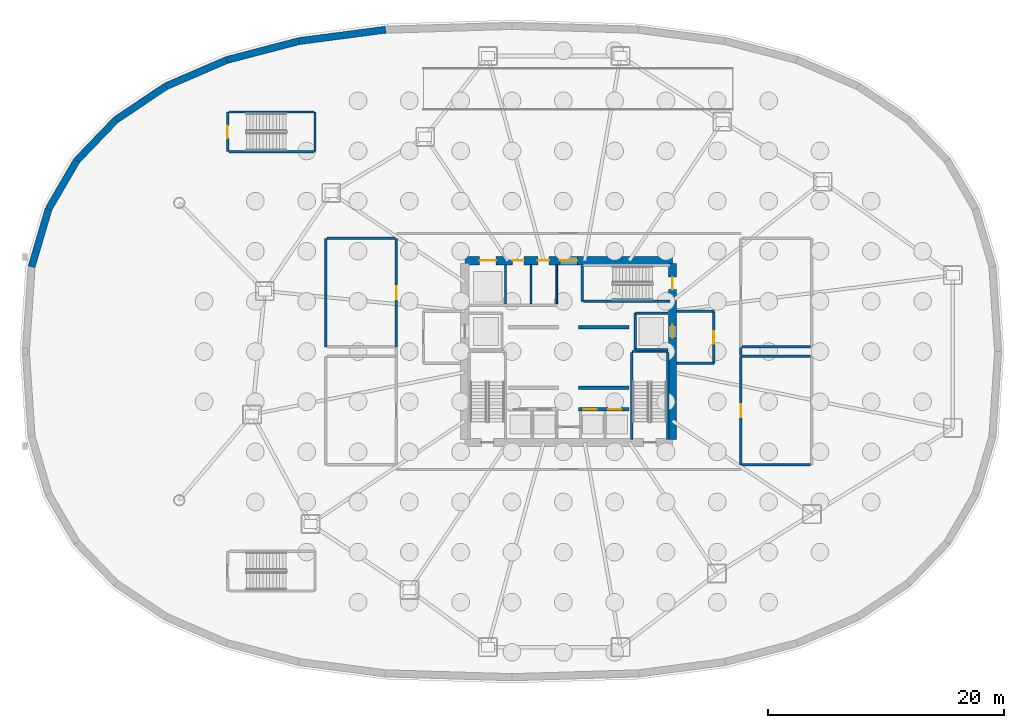
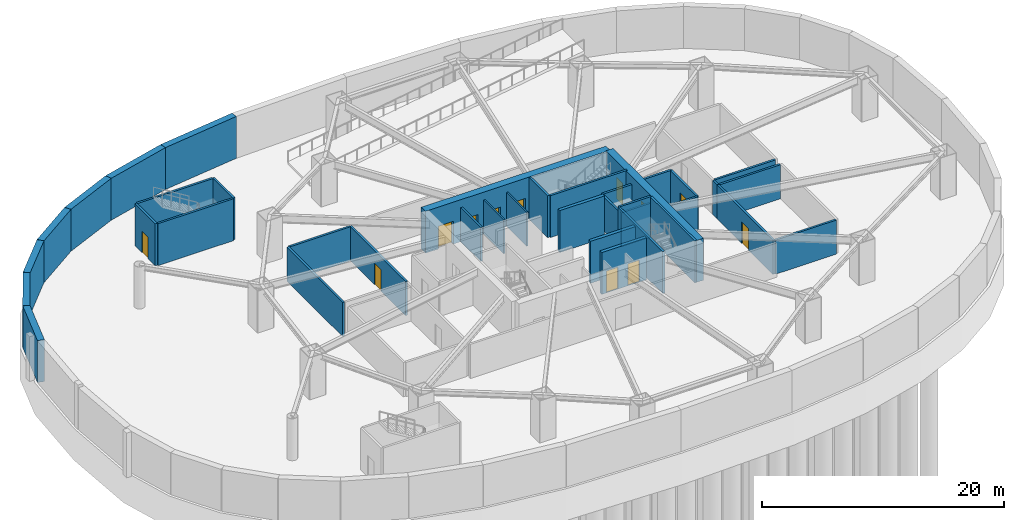
# One storey, part 4 of 10: 38 walls, 12 doors, 12 openings.
"""IFC4 building model written with IfcOpenShell, lengths in metres."""

from ifc_helpers import new_model, si_unit, direction, frame, frame_2d, origin, place, context, subcontext, project, spatial, rectangle, extrude, source, transform, mapped, material, layer, layer_set, type_object, element, fill, save


model = new_model("IFC4")

# Units and contexts
model_context = context("Model", 3, precision=1e-05, world=origin(), true_north=direction((0.0, 1.0)))
body_context = subcontext(model_context, "Body", "Model", "MODEL_VIEW")
ifc_project = project(units=[si_unit("LENGTHUNIT", "METRE"), si_unit("AREAUNIT", "SQUARE_METRE"), si_unit("VOLUMEUNIT", "CUBIC_METRE"), si_unit("PLANEANGLEUNIT", "RADIAN"), si_unit("MASSUNIT", "GRAM", prefix="KILO"), si_unit("THERMODYNAMICTEMPERATUREUNIT", "KELVIN")], contexts=[model_context])

# Site, building, storey
site_placement = place(None, origin())
site = spatial("IfcSite", under=ifc_project, at=site_placement, CompositionType="ELEMENT")
building_placement = place(site_placement, origin())
building = spatial("IfcBuilding", under=site, at=building_placement, Name="Kethvar Cultural Tower", CompositionType="ELEMENT")
storey_placement = place(building_placement, frame((0.0, 0.0, -9.0)))
storey = spatial("IfcBuildingStorey", under=building, at=storey_placement, Name="B02", CompositionType="ELEMENT", Elevation=-9.0)

# Walls
ifc_material_1 = material(Name="Concrete C45/55", Category="concrete")
ifc_layer_1 = layer(ifc_material_1, 0.60009765625, Name="Concrete C45/55", Category="concrete")
ifc_layer_set_1 = layer_set([ifc_layer_1], Name="Concrete C45/55 (600 mm)")
wall_type_1 = type_object("IfcWallType", Name="WL-BSMT-600", PredefinedType="SHEAR", material=ifc_layer_set_1)
wall_1_placement = place(storey_placement, frame((31.2841796875, 55.076904296875, 0.0), z_axis=(0.0, 0.0, 1.0), x_axis=(-0.991431364125, -0.130628673076, 0.0)))
element("IfcWall", 1, at=wall_1_placement, inside=storey, type_object=wall_type_1, Name="B02 Perimeter Retaining Wall 11", PredefinedType="SHEAR", context=body_context, shape_type="SweptSolid", body=[
    extrude(rectangle(XDim=7.3974609375, YDim=0.60009765625, at=frame_2d((3.69873046875, 0.0))), origin(), (0.0, 0.0, 1.0), 4.219970703125),
])
wall_2_placement = place(storey_placement, frame((23.9501953125, 54.110595703125, 0.0), z_axis=(0.0, 0.0, 1.0), x_axis=(-0.967458151093, -0.253031076914, 0.0)))
element("IfcWall", 2, at=wall_2_placement, inside=storey, type_object=wall_type_1, Name="B02 Perimeter Retaining Wall 12", PredefinedType="SHEAR", context=body_context, shape_type="SweptSolid", body=[
    extrude(rectangle(XDim=6.32958984375, YDim=0.60009765625, at=frame_2d((3.164794921875, 0.0))), origin(), (0.0, 0.0, 1.0), 4.219970703125),
])
wall_3_placement = place(storey_placement, frame((17.82666015625, 52.509033203125, 0.0), z_axis=(0.0, 0.0, 1.0), x_axis=(-0.918068469745, -0.396421852147, 0.0)))
element("IfcWall", 3, at=wall_3_placement, inside=storey, type_object=wall_type_1, Name="B02 Perimeter Retaining Wall 13", PredefinedType="SHEAR", context=body_context, shape_type="SweptSolid", body=[
    extrude(rectangle(XDim=5.613037109375, YDim=0.60009765625, at=frame_2d((2.806640625, 0.0))), origin(), (0.0, 0.0, 1.0), 4.219970703125),
])
wall_4_placement = place(storey_placement, frame((12.673583984375, 50.283935546875, 0.0), z_axis=(0.0, 0.0, 1.0), x_axis=(-0.830803406524, -0.556565988638, 0.0)))
element("IfcWall", 4, at=wall_4_placement, inside=storey, type_object=wall_type_1, Name="B02 Perimeter Retaining Wall 14", PredefinedType="SHEAR", context=body_context, shape_type="SweptSolid", body=[
    extrude(rectangle(XDim=5.099365234375, YDim=0.60009765625, at=frame_2d((2.5498046875, 0.0))), origin(), (0.0, 0.0, 1.0), 4.219970703125),
])
wall_5_placement = place(storey_placement, frame((8.43701171875, 47.44580078125, 0.0), z_axis=(0.0, 0.0, 1.0), x_axis=(-0.693368389068, -0.720583289455, 0.0)))
element("IfcWall", 5, at=wall_5_placement, inside=storey, type_object=wall_type_1, Name="B02 Perimeter Retaining Wall 15", PredefinedType="SHEAR", context=body_context, shape_type="SweptSolid", body=[
    extrude(rectangle(XDim=4.79052734375, YDim=0.60009765625, at=frame_2d((2.395263671875, 0.0))), origin(), (0.0, 0.0, 1.0), 4.219970703125),
])
wall_6_placement = place(storey_placement, frame((5.115478515625, 43.993896484375, 0.0), z_axis=(0.0, 0.0, 1.0), x_axis=(-0.503496923494, -0.863997018532, 0.0)))
element("IfcWall", 6, at=wall_6_placement, inside=storey, type_object=wall_type_1, Name="B02 Perimeter Retaining Wall 16", PredefinedType="SHEAR", context=body_context, shape_type="SweptSolid", body=[
    extrude(rectangle(XDim=4.748046875, YDim=0.60009765625, at=frame_2d((2.3740234375, 0.0))), origin(), (0.0, 0.0, 1.0), 4.219970703125),
])
wall_7_placement = place(storey_placement, frame((2.724853515625, 39.8916015625, 0.0), z_axis=(0.0, 0.0, 1.0), x_axis=(-0.281735210535, -0.959492194416, 0.0)))
element("IfcWall", 7, at=wall_7_placement, inside=storey, type_object=wall_type_1, Name="B02 Perimeter Retaining Wall 17", PredefinedType="SHEAR", context=body_context, shape_type="SweptSolid", body=[
    extrude(rectangle(XDim=5.12060546875, YDim=0.60009765625, at=frame_2d((2.560302734375, 0.0))), origin(), (0.0, 0.0, 1.0), 4.219970703125),
])

# Wall, openings, doors
ifc_material_2 = material(Name="Concrete C60/75", Category="concrete")
ifc_layer_2 = layer(ifc_material_2, 0.699951171875, Name="Concrete C60/75", Category="concrete")
ifc_layer_set_2 = layer_set([ifc_layer_2], Name="Concrete C60/75 (700 mm)")
wall_type_2 = type_object("IfcWallType", Name="WL-CORE-700", PredefinedType="SHEAR", material=ifc_layer_set_2)
wall_8_placement = place(storey_placement, frame((55.60009765625, 35.5, 0.0), z_axis=(0.0, 0.0, 1.0), x_axis=(-1.0, 0.0, 0.0)))
wall_8 = element("IfcWall", 8, at=wall_8_placement, inside=storey, type_object=wall_type_2, Name="B02 Core Shear Wall N", PredefinedType="SHEAR", context=body_context, shape_type="SweptSolid", body=[
    extrude(rectangle(XDim=17.60009765625, YDim=0.699951171875, at=frame_2d((8.800048828125, 0.0))), origin(), (0.0, 0.0, 1.0), 4.219970703125),
])
opening_1_placement = place(wall_8_placement, frame((8.050048828125, 0.0, 0.0)))
opening_1 = element("IfcOpeningElement", 9, at=opening_1_placement, cuts=wall_8, Name="Opening D-B02-LN", PredefinedType="OPENING", context=body_context, shape_type="SweptSolid", body=[
    extrude(rectangle(XDim=1.5, YDim=2.199951171875, at=frame_2d((0.75, 1.10009765625))), frame((0.0, 0.35986328125, 0.0), z_axis=(0.0, -1.0, 0.0), x_axis=(1.0, 0.0, 0.0)), (0.0, 0.0, 1.0), 0.719970703125),
])
opening_2_placement = place(wall_8_placement, frame((14.949951171875, 0.0, 0.0)))
opening_2 = element("IfcOpeningElement", 10, at=opening_2_placement, cuts=wall_8, Name="Opening LD-G1", PredefinedType="OPENING", context=body_context, shape_type="SweptSolid", body=[
    extrude(rectangle(XDim=1.39990234375, YDim=2.300048828125, at=frame_2d((0.699951171875, 1.14990234375))), frame((0.0, 0.35986328125, 0.0), z_axis=(0.0, -1.0, 0.0), x_axis=(1.0, 0.0, 0.0)), (0.0, 0.0, 1.0), 0.719970703125),
])
opening_3_placement = place(wall_8_placement, frame((12.60009765625, 0.0, 0.0)))
opening_3 = element("IfcOpeningElement", 11, at=opening_3_placement, cuts=wall_8, Name="Opening D-B02-W1", PredefinedType="OPENING", context=body_context, shape_type="SweptSolid", body=[
    extrude(rectangle(XDim=0.949951171875, YDim=2.14990234375, at=frame_2d((0.47509765625, 1.074951171875))), frame((0.0, 0.35986328125, 0.0), z_axis=(0.0, -1.0, 0.0), x_axis=(1.0, 0.0, 0.0)), (0.0, 0.0, 1.0), 0.719970703125),
])
opening_4_placement = place(wall_8_placement, frame((10.449951171875, 0.0, 0.0)))
opening_4 = element("IfcOpeningElement", 12, at=opening_4_placement, cuts=wall_8, Name="Opening D-B02-W2", PredefinedType="OPENING", context=body_context, shape_type="SweptSolid", body=[
    extrude(rectangle(XDim=0.949951171875, YDim=2.14990234375, at=frame_2d((0.47509765625, 1.074951171875))), frame((0.0, 0.35986328125, 0.0), z_axis=(0.0, -1.0, 0.0), x_axis=(1.0, 0.0, 0.0)), (0.0, 0.0, 1.0), 0.719970703125),
])
ifc_material_3 = material(Name="Architectural Oak Timber", Category="wood")
door_type_1 = type_object("IfcDoorType", Name="DR-DBL-FD60-1500", OperationType="DOUBLE_DOOR_SINGLE_SWING", PredefinedType="DOOR", material=ifc_material_3)
shared_shape_1 = source(origin(), body_context, "Body", "SweptSolid", [
    extrude(rectangle(XDim=1.5, YDim=2.199951171875, at=frame_2d((0.75, 1.10009765625))), frame((0.0, 0.02490234375, 0.0), z_axis=(0.0, -1.0, 0.0), x_axis=(1.0, 0.0, 0.0)), (0.0, 0.0, 1.0), 0.050048828125),
])
door_1_placement = place(opening_1_placement, origin())
door_1 = element("IfcDoor", 13, at=door_1_placement, inside=storey, type_object=door_type_1, Name="B02 Lift Lobby Concourse Door", OperationType="DOUBLE_DOOR_SINGLE_SWING", OverallHeight=2.199951171875, OverallWidth=1.5, PredefinedType="DOOR", context=body_context, shape_type="MappedRepresentation", body=[
    mapped(shared_shape_1, transform((0.0, 0.0, 0.0), scale=1.0)),
])
fill(opening_1, door_1)
ifc_material_4 = material(Name="Steel S355J2", Category="steel")
door_type_2 = type_object("IfcDoorType", Name="DR-LIFT-SLIDE-1400", OperationType="NOTDEFINED", PredefinedType="DOOR", material=ifc_material_4)
shared_shape_2 = source(origin(), body_context, "Body", "SweptSolid", [
    extrude(rectangle(XDim=1.39990234375, YDim=2.300048828125, at=frame_2d((0.699951171875, 1.14990234375))), frame((0.0, 0.02490234375, 0.0), z_axis=(0.0, -1.0, 0.0), x_axis=(1.0, 0.0, 0.0)), (0.0, 0.0, 1.0), 0.050048828125),
])
door_2_placement = place(opening_2_placement, origin())
door_2 = element("IfcDoor", 14, at=door_2_placement, inside=storey, type_object=door_type_2, Name="B02 Goods Lift Landing Door", OperationType="SLIDING_TO_RIGHT", OverallHeight=2.300048828125, OverallWidth=1.39990234375, PredefinedType="DOOR", context=body_context, shape_type="MappedRepresentation", body=[
    mapped(shared_shape_2, transform((0.0, 0.0, 0.0), scale=1.0)),
])
fill(opening_2, door_2)
door_type_3 = type_object("IfcDoorType", Name="DR-FD30-950", OperationType="NOTDEFINED", PredefinedType="DOOR", material=ifc_material_3)
shared_shape_3 = source(origin(), body_context, "Body", "SweptSolid", [
    extrude(rectangle(XDim=0.949951171875, YDim=2.14990234375, at=frame_2d((0.47509765625, 1.074951171875))), frame((0.0, 0.02490234375, 0.0), z_axis=(0.0, -1.0, 0.0), x_axis=(1.0, 0.0, 0.0)), (0.0, 0.0, 1.0), 0.050048828125),
])
door_3_placement = place(opening_3_placement, origin())
door_3 = element("IfcDoor", 15, at=door_3_placement, inside=storey, type_object=door_type_3, Name="B02 Accessible Washroom Door", OperationType="SINGLE_SWING_LEFT", OverallHeight=2.14990234375, OverallWidth=0.949951171875, PredefinedType="DOOR", context=body_context, shape_type="MappedRepresentation", body=[
    mapped(shared_shape_3, transform((0.0, 0.0, 0.0), scale=1.0)),
])
fill(opening_3, door_3)
door_4_placement = place(opening_4_placement, origin())
door_4 = element("IfcDoor", 16, at=door_4_placement, inside=storey, type_object=door_type_3, Name="B02 Public Washroom Door", OperationType="SINGLE_SWING_RIGHT", OverallHeight=2.14990234375, OverallWidth=0.949951171875, PredefinedType="DOOR", context=body_context, shape_type="MappedRepresentation", body=[
    mapped(shared_shape_3, transform((0.0, 0.0, 0.0), scale=1.0)),
])
fill(opening_4, door_4)

wall_9_placement = place(storey_placement, frame((55.60009765625, 20.340087890625, 0.0), z_axis=(0.0, 0.0, 1.0), x_axis=(0.0, 1.0, 0.0)))
wall_9 = element("IfcWall", 17, at=wall_9_placement, inside=storey, type_object=wall_type_2, Name="B02 Core Shear Wall E", PredefinedType="SHEAR", context=body_context, shape_type="SweptSolid", body=[
    extrude(rectangle(XDim=14.919921875, YDim=0.699951171875, at=frame_2d((7.4599609375, 0.0))), origin(), (0.0, 0.0, 1.0), 4.219970703125),
])
opening_5_placement = place(wall_9_placement, frame((12.7099609375, 0.0, 0.0)))
opening_5 = element("IfcOpeningElement", 18, at=opening_5_placement, cuts=wall_9, Name="Opening D-B02-S3", PredefinedType="OPENING", context=body_context, shape_type="SweptSolid", body=[
    extrude(rectangle(XDim=1.050048828125, YDim=2.14990234375, at=frame_2d((0.52490234375, 1.074951171875))), frame((0.0, 0.35986328125, 0.0), z_axis=(0.0, -1.0, 0.0), x_axis=(1.0, 0.0, 0.0)), (0.0, 0.0, 1.0), 0.719970703125),
])
opening_6_placement = place(wall_9_placement, frame((8.610107421875, 0.0, 0.0)))
opening_6 = element("IfcOpeningElement", 19, at=opening_6_placement, cuts=wall_9, Name="Opening LD-2", PredefinedType="OPENING", context=body_context, shape_type="SweptSolid", body=[
    extrude(rectangle(XDim=1.10009765625, YDim=2.199951171875, at=frame_2d((0.550048828125, 1.10009765625))), frame((0.0, 0.35986328125, 0.0), z_axis=(0.0, -1.0, 0.0), x_axis=(1.0, 0.0, 0.0)), (0.0, 0.0, 1.0), 0.719970703125),
])
door_type_4 = type_object("IfcDoorType", Name="DR-FD60-1050", OperationType="NOTDEFINED", PredefinedType="DOOR", material=ifc_material_4)
shared_shape_4 = source(origin(), body_context, "Body", "SweptSolid", [
    extrude(rectangle(XDim=1.050048828125, YDim=2.14990234375, at=frame_2d((0.52490234375, 1.074951171875))), frame((0.0, 0.02490234375, 0.0), z_axis=(0.0, -1.0, 0.0), x_axis=(1.0, 0.0, 0.0)), (0.0, 0.0, 1.0), 0.050048828125),
])
door_5_placement = place(opening_5_placement, origin())
door_5 = element("IfcDoor", 20, at=door_5_placement, inside=storey, type_object=door_type_4, Name="B02 Exit Stair 3 Door", OperationType="SINGLE_SWING_LEFT", OverallHeight=2.14990234375, OverallWidth=1.050048828125, PredefinedType="DOOR", context=body_context, shape_type="MappedRepresentation", body=[
    mapped(shared_shape_4, transform((0.0, 0.0, 0.0), scale=1.0)),
])
fill(opening_5, door_5)
door_type_5 = type_object("IfcDoorType", Name="DR-LIFT-SLIDE-1100", OperationType="NOTDEFINED", PredefinedType="DOOR", material=ifc_material_4)
shared_shape_5 = source(origin(), body_context, "Body", "SweptSolid", [
    extrude(rectangle(XDim=1.10009765625, YDim=2.199951171875, at=frame_2d((0.550048828125, 1.10009765625))), frame((0.0, 0.02490234375, 0.0), z_axis=(0.0, -1.0, 0.0), x_axis=(1.0, 0.0, 0.0)), (0.0, 0.0, 1.0), 0.050048828125),
])
door_6_placement = place(opening_6_placement, origin())
door_6 = element("IfcDoor", 21, at=door_6_placement, inside=storey, type_object=door_type_5, Name="B02 Firefighting Lift Landing Door FFL-02", OperationType="SLIDING_TO_RIGHT", OverallHeight=2.199951171875, OverallWidth=1.10009765625, PredefinedType="DOOR", context=body_context, shape_type="MappedRepresentation", body=[
    mapped(shared_shape_5, transform((0.0, 0.0, 0.0), scale=1.0)),
])
fill(opening_6, door_6)

# Walls
ifc_material_5 = material(Name="Gypsum Fireboard Partition")
ifc_layer_3 = layer(ifc_material_5, 0.14990234375, Name="Gypsum Fireboard Partition")
ifc_layer_set_3 = layer_set([ifc_layer_3], Name="Gypsum Fireboard Partition (150 mm)")
wall_type_3 = type_object("IfcWallType", Name="WL-FIRE-150", PredefinedType="PARTITIONING", material=ifc_layer_set_3)
wall_10_placement = place(storey_placement, frame((45.800048828125, 31.85009765625, 0.0), z_axis=(0.0, 0.0, 1.0), x_axis=(0.0, 1.0, 0.0)))
element("IfcWall", 22, at=wall_10_placement, inside=storey, type_object=wall_type_3, Name="B02 Sanitary Spine Wall", PredefinedType="PARTITIONING", context=body_context, shape_type="SweptSolid", body=[
    extrude(rectangle(XDim=3.289794921875, YDim=0.14990234375, at=frame_2d((1.64501953125, 0.0))), origin(), (0.0, 0.0, 1.0), 3.43310546875),
])
ifc_material_6 = material(Name="Concrete C40/50", Category="concrete")
ifc_layer_4 = layer(ifc_material_6, 0.199951171875, Name="Concrete C40/50", Category="concrete")
ifc_layer_set_4 = layer_set([ifc_layer_4], Name="Concrete C40/50 (200 mm)")
wall_type_4 = type_object("IfcWallType", Name="WL-FIRE-200", PredefinedType="PARTITIONING", material=ifc_layer_set_4)
wall_11_placement = place(storey_placement, frame((52.449951171875, 27.949951171875, 0.0), z_axis=(0.0, 0.0, 1.0), x_axis=(0.0, 1.0, 0.0)))
element("IfcWall", 23, at=wall_11_placement, inside=storey, type_object=wall_type_4, Name="B02 FFL-02 Shaft Inner Wall", PredefinedType="PARTITIONING", context=body_context, shape_type="SweptSolid", body=[
    extrude(rectangle(XDim=3.10009765625, YDim=0.199951171875, at=frame_2d((1.550048828125, 0.0))), origin(), (0.0, 0.0, 1.0), 3.43310546875),
])
for number, where, z_axis, x_axis, name in (
    (24, (52.449951171875, 27.949951171875, 0.0), (0.0, 0.0, 1.0), (1.0, 0.0, 0.0), "B02 FFL-02 Shaft South Wall"),
    (25, (52.449951171875, 31.050048828125, 0.0), (0.0, 0.0, 1.0), (1.0, 0.0, 0.0), "B02 FFL-02 Shaft North Wall"),
):
    element("IfcWall", number, at=place(storey_placement, frame(where, z_axis=z_axis, x_axis=x_axis)), inside=storey, type_object=wall_type_4, Name=name, PredefinedType="PARTITIONING", context=body_context, shape_type="SweptSolid", body=[
        extrude(rectangle(XDim=2.7900390625, YDim=0.199951171875, at=frame_2d((1.39501953125, 0.0))), origin(), (0.0, 0.0, 1.0), 3.43310546875),
    ])

# Wall, opening, door
wall_12_placement = place(storey_placement, frame((59.10009765625, 26.800048828125, 0.0), z_axis=(0.0, 0.0, 1.0), x_axis=(0.0, 1.0, 0.0)))
wall_12 = element("IfcWall", 26, at=wall_12_placement, inside=storey, type_object=wall_type_4, Name="B02 Firefighting Lobby 2 Wall", PredefinedType="PARTITIONING", context=body_context, shape_type="SweptSolid", body=[
    extrude(rectangle(XDim=4.39990234375, YDim=0.199951171875, at=frame_2d((2.199951171875, 0.0))), origin(), (0.0, 0.0, 1.0), 3.43310546875),
])
opening_7_placement = place(wall_12_placement, frame((1.64990234375, 0.0, 0.0)))
opening_7 = element("IfcOpeningElement", 27, at=opening_7_placement, cuts=wall_12, Name="Opening D-B02-F2", PredefinedType="OPENING", context=body_context, shape_type="SweptSolid", body=[
    extrude(rectangle(XDim=1.050048828125, YDim=2.14990234375, at=frame_2d((0.52490234375, 1.074951171875))), frame((0.0, 0.10986328125, 0.0), z_axis=(0.0, -1.0, 0.0), x_axis=(1.0, 0.0, 0.0)), (0.0, 0.0, 1.0), 0.219970703125),
])
door_7_placement = place(opening_7_placement, origin())
door_7 = element("IfcDoor", 28, at=door_7_placement, inside=storey, type_object=door_type_4, Name="B02 Firefighting Lobby 2 Fire Door", OperationType="SINGLE_SWING_LEFT", OverallHeight=2.14990234375, OverallWidth=1.050048828125, PredefinedType="DOOR", context=body_context, shape_type="MappedRepresentation", body=[
    mapped(shared_shape_4, transform((0.0, 0.0, 0.0), scale=1.0)),
])
fill(opening_7, door_7)

# Walls
for number, where, z_axis, x_axis, name in (
    (29, (55.9599609375, 26.800048828125, 0.0), (0.0, 0.0, 1.0), (1.0, 0.0, 0.0), "B02 FF Lobby 2 South Wall"),
    (30, (55.9599609375, 31.199951171875, 0.0), (0.0, 0.0, 1.0), (1.0, 0.0, 0.0), "B02 FF Lobby 2 North Wall"),
):
    element("IfcWall", number, at=place(storey_placement, frame(where, z_axis=z_axis, x_axis=x_axis)), inside=storey, type_object=wall_type_4, Name=name, PredefinedType="PARTITIONING", context=body_context, shape_type="SweptSolid", body=[
        extrude(rectangle(XDim=3.14013671875, YDim=0.199951171875, at=frame_2d((1.570068359375, 0.0))), origin(), (0.0, 0.0, 1.0), 3.43310546875),
    ])
wall_13_placement = place(storey_placement, frame((41.449951171875, 31.85009765625, 0.0), z_axis=(0.0, 0.0, 1.0), x_axis=(0.0, 1.0, 0.0)))
element("IfcWall", 31, at=wall_13_placement, inside=storey, type_object=wall_type_4, Name="B02 NW Core Pocket Wall", PredefinedType="PARTITIONING", context=body_context, shape_type="SweptSolid", body=[
    extrude(rectangle(XDim=3.289794921875, YDim=0.199951171875, at=frame_2d((1.64501953125, 0.0))), origin(), (0.0, 0.0, 1.0), 3.43310546875),
])

# Wall, opening, door
wall_14_placement = place(storey_placement, frame((32.199951171875, 28.199951171875, 0.0), z_axis=(0.0, 0.0, 1.0), x_axis=(0.0, 1.0, 0.0)))
wall_14 = element("IfcWall", 32, at=wall_14_placement, inside=storey, type_object=wall_type_4, Name="B02 Primary Chiller Plant Room Front Wall", PredefinedType="PARTITIONING", context=body_context, shape_type="SweptSolid", body=[
    extrude(rectangle(XDim=9.199951171875, YDim=0.199951171875, at=frame_2d((4.60009765625, 0.0))), origin(), (0.0, 0.0, 1.0), 3.43310546875),
])
opening_8_placement = place(wall_14_placement, frame((4.050048828125, 0.0, 0.0)))
opening_8 = element("IfcOpeningElement", 33, at=opening_8_placement, cuts=wall_14, Name="Opening D-B02-B2", PredefinedType="OPENING", context=body_context, shape_type="SweptSolid", body=[
    extrude(rectangle(XDim=1.10009765625, YDim=2.14990234375, at=frame_2d((0.550048828125, 1.074951171875))), frame((0.0, 0.10986328125, 0.0), z_axis=(0.0, -1.0, 0.0), x_axis=(1.0, 0.0, 0.0)), (0.0, 0.0, 1.0), 0.219970703125),
])
door_type_6 = type_object("IfcDoorType", Name="DR-FD60-1100", OperationType="NOTDEFINED", PredefinedType="DOOR", material=ifc_material_4)
shared_shape_6 = source(origin(), body_context, "Body", "SweptSolid", [
    extrude(rectangle(XDim=1.10009765625, YDim=2.14990234375, at=frame_2d((0.550048828125, 1.074951171875))), frame((0.0, 0.02490234375, 0.0), z_axis=(0.0, -1.0, 0.0), x_axis=(1.0, 0.0, 0.0)), (0.0, 0.0, 1.0), 0.050048828125),
])
door_8_placement = place(opening_8_placement, origin())
door_8 = element("IfcDoor", 34, at=door_8_placement, inside=storey, type_object=door_type_6, Name="B02 Primary Chiller Plant Room Door", OperationType="SINGLE_SWING_RIGHT", OverallHeight=2.14990234375, OverallWidth=1.10009765625, PredefinedType="DOOR", context=body_context, shape_type="MappedRepresentation", body=[
    mapped(shared_shape_6, transform((0.0, 0.0, 0.0), scale=1.0)),
])
fill(opening_8, door_8)

# Walls
wall_15_placement = place(storey_placement, frame((26.199951171875, 28.199951171875, 0.0), z_axis=(0.0, 0.0, 1.0), x_axis=(0.0, 1.0, 0.0)))
element("IfcWall", 35, at=wall_15_placement, inside=storey, type_object=wall_type_4, Name="B02 Primary Chiller Plant Room Back Wall", PredefinedType="PARTITIONING", context=body_context, shape_type="SweptSolid", body=[
    extrude(rectangle(XDim=9.199951171875, YDim=0.199951171875, at=frame_2d((4.60009765625, 0.0))), origin(), (0.0, 0.0, 1.0), 3.43310546875),
])
wall_16_placement = place(storey_placement, frame((26.31005859375, 37.39990234375, 0.0), z_axis=(0.0, 0.0, 1.0), x_axis=(1.0, 0.0, 0.0)))
element("IfcWall", 36, at=wall_16_placement, inside=storey, type_object=wall_type_4, Name="B02 Primary Chiller Plant Room North Wall", PredefinedType="PARTITIONING", context=body_context, shape_type="SweptSolid", body=[
    extrude(rectangle(XDim=5.780029296875, YDim=0.199951171875, at=frame_2d((2.89013671875, 0.0))), origin(), (0.0, 0.0, 1.0), 3.43310546875),
])

# Wall, opening, door
wall_17_placement = place(storey_placement, frame((61.39990234375, 18.199951171875, 0.0), z_axis=(0.0, 0.0, 1.0), x_axis=(0.0, 1.0, 0.0)))
wall_17 = element("IfcWall", 37, at=wall_17_placement, inside=storey, type_object=wall_type_4, Name="B02 MV Substation Switchroom Front Wall", PredefinedType="PARTITIONING", context=body_context, shape_type="SweptSolid", body=[
    extrude(rectangle(XDim=9.199951171875, YDim=0.199951171875, at=frame_2d((4.60009765625, 0.0))), origin(), (0.0, 0.0, 1.0), 3.43310546875),
])
opening_9_placement = place(wall_17_placement, frame((4.050048828125, 0.0, 0.0)))
opening_9 = element("IfcOpeningElement", 38, at=opening_9_placement, cuts=wall_17, Name="Opening D-B02-B3", PredefinedType="OPENING", context=body_context, shape_type="SweptSolid", body=[
    extrude(rectangle(XDim=1.10009765625, YDim=2.14990234375, at=frame_2d((0.550048828125, 1.074951171875))), frame((0.0, 0.10986328125, 0.0), z_axis=(0.0, -1.0, 0.0), x_axis=(1.0, 0.0, 0.0)), (0.0, 0.0, 1.0), 0.219970703125),
])
door_9_placement = place(opening_9_placement, origin())
door_9 = element("IfcDoor", 39, at=door_9_placement, inside=storey, type_object=door_type_6, Name="B02 MV Substation Switchroom Door", OperationType="SINGLE_SWING_LEFT", OverallHeight=2.14990234375, OverallWidth=1.10009765625, PredefinedType="DOOR", context=body_context, shape_type="MappedRepresentation", body=[
    mapped(shared_shape_6, transform((0.0, 0.0, 0.0), scale=1.0)),
])
fill(opening_9, door_9)

# Walls
for number, where, z_axis, x_axis, name in (
    (40, (61.510009765625, 18.199951171875, 0.0), (0.0, 0.0, 1.0), (1.0, 0.0, 0.0), "B02 MV Substation Switchroom South Wall"),
    (41, (61.510009765625, 27.39990234375, 0.0), (0.0, 0.0, 1.0), (1.0, 0.0, 0.0), "B02 MV Substation Switchroom North Wall"),
    (42, (61.510009765625, 28.199951171875, 0.0), (0.0, 0.0, 1.0), (1.0, 0.0, 0.0), "B02 Sprinkler Booster Pump Room South Wall"),
):
    element("IfcWall", number, at=place(storey_placement, frame(where, z_axis=z_axis, x_axis=x_axis)), inside=storey, type_object=wall_type_4, Name=name, PredefinedType="PARTITIONING", context=body_context, shape_type="SweptSolid", body=[
        extrude(rectangle(XDim=5.780029296875, YDim=0.199951171875, at=frame_2d((2.89013671875, 0.0))), origin(), (0.0, 0.0, 1.0), 3.43310546875),
    ])
wall_18_placement = place(storey_placement, frame((61.39990234375, 27.449951171875, 0.0), z_axis=(0.0, 0.0, 1.0), x_axis=(0.0, 1.0, 0.0)))
element("IfcWall", 43, at=wall_18_placement, inside=storey, type_object=wall_type_4, Name="B02 Plant Corridor Gap Wall E", PredefinedType="PARTITIONING", context=body_context, shape_type="SweptSolid", body=[
    extrude(rectangle(XDim=0.699951171875, YDim=0.199951171875, at=frame_2d((0.35009765625, 0.0))), origin(), (0.0, 0.0, 1.0), 3.43310546875),
])
ifc_material_7 = material(Name="Moisture-Resistant Sanitary Chase Wall")
ifc_layer_5 = layer(ifc_material_7, 0.14990234375, Name="Moisture-Resistant Sanitary Chase Wall")
ifc_layer_set_5 = layer_set([ifc_layer_5], Name="Moisture-Resistant Sanitary Chase Wall (150 mm)")
wall_type_5 = type_object("IfcWallType", Name="WL-PLUMB-150", PredefinedType="PLUMBINGWALL", material=ifc_layer_set_5)
wall_19_placement = place(storey_placement, frame((43.6201171875, 31.85009765625, 0.0), z_axis=(0.0, 0.0, 1.0), x_axis=(0.0, 1.0, 0.0)))
element("IfcWall", 44, at=wall_19_placement, inside=storey, type_object=wall_type_5, Name="B02 Sanitary Plumbing Wall", PredefinedType="PLUMBINGWALL", context=body_context, shape_type="SweptSolid", body=[
    extrude(rectangle(XDim=3.289794921875, YDim=0.14990234375, at=frame_2d((1.64501953125, 0.0))), origin(), (0.0, 0.0, 1.0), 3.43310546875),
])

# Wall, openings, doors
ifc_material_8 = material(Name="Concrete C50/60", Category="concrete")
ifc_layer_6 = layer(ifc_material_8, 0.300048828125, Name="Concrete C50/60", Category="concrete")
ifc_layer_set_6 = layer_set([ifc_layer_6], Name="Concrete C50/60 (300 mm)")
wall_type_6 = type_object("IfcWallType", Name="WL-SHAFT-300", PredefinedType="SHEAR", material=ifc_layer_set_6)
wall_20_placement = place(storey_placement, frame((47.64990234375, 22.89990234375, 0.0), z_axis=(0.0, 0.0, 1.0), x_axis=(1.0, 0.0, 0.0)))
wall_20 = element("IfcWall", 45, at=wall_20_placement, inside=storey, type_object=wall_type_6, Name="B02 Core Lift Spine Wall MID1E", PredefinedType="SHEAR", context=body_context, shape_type="SweptSolid", body=[
    extrude(rectangle(XDim=4.25, YDim=0.300048828125, at=frame_2d((2.125, 0.0))), origin(), (0.0, 0.0, 1.0), 4.219970703125),
])
opening_10_placement = place(wall_20_placement, frame((0.449951171875, 0.0, 0.0)))
opening_10 = element("IfcOpeningElement", 46, at=opening_10_placement, cuts=wall_20, Name="Opening LD-L3", PredefinedType="OPENING", context=body_context, shape_type="SweptSolid", body=[
    extrude(rectangle(XDim=1.10009765625, YDim=2.199951171875, at=frame_2d((0.550048828125, 1.10009765625))), frame((0.0, 0.159912109375, 0.0), z_axis=(0.0, -1.0, 0.0), x_axis=(1.0, 0.0, 0.0)), (0.0, 0.0, 1.0), 0.320068359375),
])
opening_11_placement = place(wall_20_placement, frame((2.5, 0.0, 0.0)))
opening_11 = element("IfcOpeningElement", 47, at=opening_11_placement, cuts=wall_20, Name="Opening LD-L4", PredefinedType="OPENING", context=body_context, shape_type="SweptSolid", body=[
    extrude(rectangle(XDim=1.10009765625, YDim=2.199951171875, at=frame_2d((0.550048828125, 1.10009765625))), frame((0.0, 0.159912109375, 0.0), z_axis=(0.0, -1.0, 0.0), x_axis=(1.0, 0.0, 0.0)), (0.0, 0.0, 1.0), 0.320068359375),
])
door_10_placement = place(opening_10_placement, origin())
door_10 = element("IfcDoor", 48, at=door_10_placement, inside=storey, type_object=door_type_5, Name="B02 Low-Rise Lift Landing Door L3", OperationType="SLIDING_TO_LEFT", OverallHeight=2.199951171875, OverallWidth=1.10009765625, PredefinedType="DOOR", context=body_context, shape_type="MappedRepresentation", body=[
    mapped(shared_shape_5, transform((0.0, 0.0, 0.0), scale=1.0)),
])
fill(opening_10, door_10)
door_11_placement = place(opening_11_placement, origin())
door_11 = element("IfcDoor", 49, at=door_11_placement, inside=storey, type_object=door_type_5, Name="B02 Low-Rise Lift Landing Door L4", OperationType="SLIDING_TO_LEFT", OverallHeight=2.199951171875, OverallWidth=1.10009765625, PredefinedType="DOOR", context=body_context, shape_type="MappedRepresentation", body=[
    mapped(shared_shape_5, transform((0.0, 0.0, 0.0), scale=1.0)),
])
fill(opening_11, door_11)

# Walls
for number, where, z_axis, x_axis, name in (
    (50, (47.64990234375, 24.75, 0.0), (0.0, 0.0, 1.0), (1.0, 0.0, 0.0), "B02 Core Lift Spine Wall MID2E"),
    (51, (47.64990234375, 29.85009765625, 0.0), (0.0, 0.0, 1.0), (1.0, 0.0, 0.0), "B02 Core Lift Spine Wall MID3E"),
):
    element("IfcWall", number, at=place(storey_placement, frame(where, z_axis=z_axis, x_axis=x_axis)), inside=storey, type_object=wall_type_6, Name=name, PredefinedType="SHEAR", context=body_context, shape_type="SweptSolid", body=[
        extrude(rectangle(XDim=4.25, YDim=0.300048828125, at=frame_2d((2.125, 0.0))), origin(), (0.0, 0.0, 1.0), 4.219970703125),
    ])
ifc_layer_7 = layer(ifc_material_8, 0.199951171875, Name="Concrete C50/60", Category="concrete")
ifc_layer_set_7 = layer_set([ifc_layer_7], Name="Concrete C50/60 (200 mm)")
wall_type_7 = type_object("IfcWallType", Name="WL-STSHAFT-200", PredefinedType="SHEAR", material=ifc_layer_set_7)
wall_21_placement = place(storey_placement, frame((52.14990234375, 27.800048828125, 0.0), z_axis=(0.0, 0.0, 1.0), x_axis=(1.0, 0.0, 0.0)))
element("IfcWall", 52, at=wall_21_placement, inside=storey, type_object=wall_type_7, Name="B02 ST-02 Stair Shaft Wall FAR", PredefinedType="SHEAR", context=body_context, shape_type="SweptSolid", body=[
    extrude(rectangle(XDim=3.06005859375, YDim=0.199951171875, at=frame_2d((1.530029296875, 0.0))), origin(), (0.0, 0.0, 1.0), 4.219970703125),
])
for number, where, z_axis, x_axis, name in (
    (53, (55.2099609375, 27.699951171875, 0.0), (0.0, 0.0, 1.0), (0.0, -1.0, 0.0), "B02 ST-02 Stair Shaft Wall LEFT"),
    (54, (52.14990234375, 20.35009765625, 0.0), (0.0, 0.0, 1.0), (0.0, 1.0, 0.0), "B02 ST-02 Stair Shaft Wall RIGHT"),
):
    element("IfcWall", number, at=place(storey_placement, frame(where, z_axis=z_axis, x_axis=x_axis)), inside=storey, type_object=wall_type_7, Name=name, PredefinedType="SHEAR", context=body_context, shape_type="SweptSolid", body=[
        extrude(rectangle(XDim=7.349853515625, YDim=0.199951171875, at=frame_2d((3.6748046875, 0.0))), origin(), (0.0, 0.0, 1.0), 4.219970703125),
    ])
wall_22_placement = place(storey_placement, frame((47.949951171875, 32.050048828125, 0.0), z_axis=(0.0, 0.0, 1.0), x_axis=(0.0, 1.0, 0.0)))
element("IfcWall", 55, at=wall_22_placement, inside=storey, type_object=wall_type_7, Name="B02 ST-03 Stair Shaft Wall FAR", PredefinedType="SHEAR", context=body_context, shape_type="SweptSolid", body=[
    extrude(rectangle(XDim=3.06005859375, YDim=0.199951171875, at=frame_2d((1.530029296875, 0.0))), origin(), (0.0, 0.0, 1.0), 4.219970703125),
])
wall_23_placement = place(storey_placement, frame((55.39990234375, 32.050048828125, 0.0), z_axis=(0.0, 0.0, 1.0), x_axis=(-1.0, 0.0, 0.0)))
element("IfcWall", 56, at=wall_23_placement, inside=storey, type_object=wall_type_7, Name="B02 ST-03 Stair Shaft Wall RIGHT", PredefinedType="SHEAR", context=body_context, shape_type="SweptSolid", body=[
    extrude(rectangle(XDim=7.349853515625, YDim=0.199951171875, at=frame_2d((3.6748046875, 0.0))), origin(), (0.0, 0.0, 1.0), 4.219970703125),
])

# Wall, opening, door
wall_24_placement = place(storey_placement, frame((17.89990234375, 44.739990234375, 0.0), z_axis=(0.0, 0.0, 1.0), x_axis=(0.0, 1.0, 0.0)))
wall_24 = element("IfcWall", 57, at=wall_24_placement, inside=storey, type_object=wall_type_7, Name="B02 ST-05 Stair Shaft Wall NEAR", PredefinedType="SHEAR", context=body_context, shape_type="SweptSolid", body=[
    extrude(rectangle(XDim=3.360107421875, YDim=0.199951171875, at=frame_2d((1.68017578125, 0.0))), origin(), (0.0, 0.0, 1.0), 4.219970703125),
])
opening_12_placement = place(wall_24_placement, frame((1.155029296875, 0.0, 0.0)))
opening_12 = element("IfcOpeningElement", 58, at=opening_12_placement, cuts=wall_24, Name="Opening D-B02-ST5", PredefinedType="OPENING", context=body_context, shape_type="SweptSolid", body=[
    extrude(rectangle(XDim=1.050048828125, YDim=2.14990234375, at=frame_2d((0.52490234375, 1.074951171875))), frame((0.0, 0.10986328125, 0.0), z_axis=(0.0, -1.0, 0.0), x_axis=(1.0, 0.0, 0.0)), (0.0, 0.0, 1.0), 0.219970703125),
])
door_12_placement = place(opening_12_placement, origin())
door_12 = element("IfcDoor", 59, at=door_12_placement, inside=storey, type_object=door_type_4, Name="B02 ST-05 Stair Landing Fire Door", OperationType="SINGLE_SWING_LEFT", OverallHeight=2.14990234375, OverallWidth=1.050048828125, PredefinedType="DOOR", context=body_context, shape_type="MappedRepresentation", body=[
    mapped(shared_shape_4, transform((0.0, 0.0, 0.0), scale=1.0)),
])
fill(opening_12, door_12)

# Walls
wall_25_placement = place(storey_placement, frame((25.300048828125, 48.10009765625, 0.0), z_axis=(0.0, 0.0, 1.0), x_axis=(0.0, -1.0, 0.0)))
element("IfcWall", 60, at=wall_25_placement, inside=storey, type_object=wall_type_7, Name="B02 ST-05 Stair Shaft Wall FAR", PredefinedType="SHEAR", context=body_context, shape_type="SweptSolid", body=[
    extrude(rectangle(XDim=3.360107421875, YDim=0.199951171875, at=frame_2d((1.68017578125, 0.0))), origin(), (0.0, 0.0, 1.0), 4.219970703125),
])
for number, where, z_axis, x_axis, name in (
    (61, (25.199951171875, 44.739990234375, 0.0), (0.0, 0.0, 1.0), (-1.0, 0.0, 0.0), "B02 ST-05 Stair Shaft Wall LEFT"),
    (62, (18.0, 48.10009765625, 0.0), (0.0, 0.0, 1.0), (1.0, 0.0, 0.0), "B02 ST-05 Stair Shaft Wall RIGHT"),
):
    element("IfcWall", number, at=place(storey_placement, frame(where, z_axis=z_axis, x_axis=x_axis)), inside=storey, type_object=wall_type_7, Name=name, PredefinedType="SHEAR", context=body_context, shape_type="SweptSolid", body=[
        extrude(rectangle(XDim=7.199951171875, YDim=0.199951171875, at=frame_2d((3.60009765625, 0.0))), origin(), (0.0, 0.0, 1.0), 4.219970703125),
    ])

save(model, "model.ifc")
